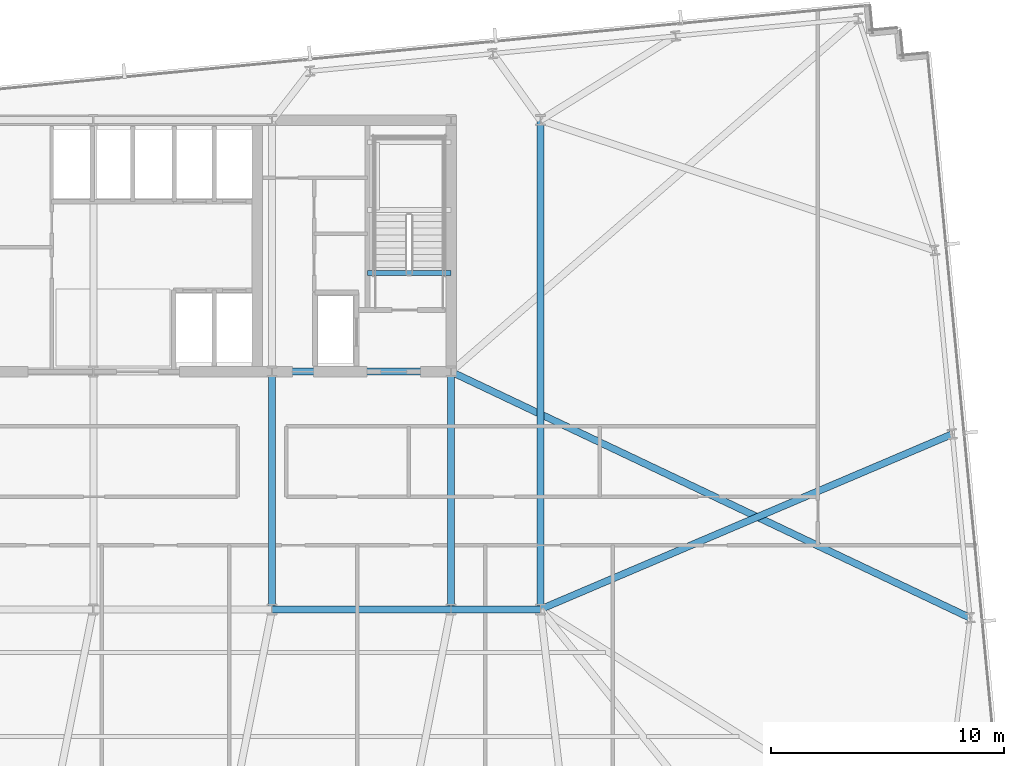
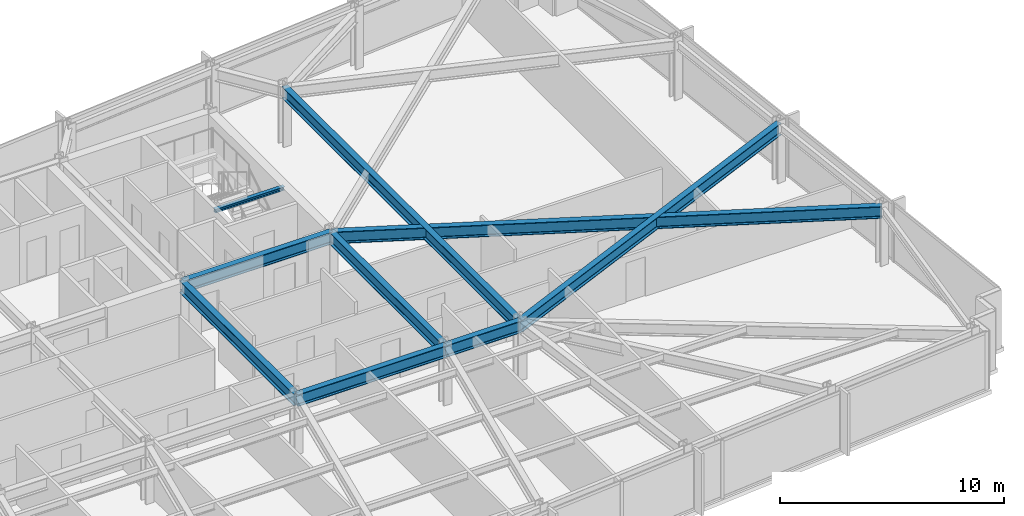
# One storey, part 15 of 32: 9 beams.
"""IFC4 building model written with IfcOpenShell, lengths in metres."""

from ifc_helpers import new_model, si_unit, direction, frame, origin, origin_2d, place, context, subcontext, project, spatial, i_section, extrude, material, material_profile, profile_set, type_object, element, save


model = new_model("IFC4")

# Units and contexts
model_context = context("Model", 3, precision=1e-05, world=origin(), true_north=direction((0.0, 1.0)))
body_context = subcontext(model_context, "Body", "Model", "MODEL_VIEW")
ifc_project = project(units=[si_unit("LENGTHUNIT", "METRE"), si_unit("AREAUNIT", "SQUARE_METRE"), si_unit("VOLUMEUNIT", "CUBIC_METRE"), si_unit("PLANEANGLEUNIT", "RADIAN"), si_unit("MASSUNIT", "GRAM", prefix="KILO")], contexts=[model_context])

# Site, building, storey
site_placement = place(None, origin())
site = spatial("IfcSite", under=ifc_project, at=site_placement, CompositionType="ELEMENT")
building_placement = place(site_placement, origin())
building = spatial("IfcBuilding", under=site, at=building_placement, Name="Yelkora Congress Tower", CompositionType="ELEMENT")
storey_placement = place(building_placement, frame((0.0, 0.0, 130.5)))
storey = spatial("IfcBuildingStorey", under=building, at=storey_placement, Name="L35", CompositionType="ELEMENT", Elevation=130.5)

# Beams
ifc_material = material(Name="Steel S355J2", Category="steel")
ifc_material_profile_1 = material_profile(ifc_material, i_section(OverallWidth=0.300048828125, OverallDepth=0.64990234375, WebThickness=0.01611328125, FlangeThickness=0.031005859375, FilletRadius=0.027099609375, at=origin_2d()), Name="HEB 650")
ifc_profile_set_1 = profile_set([ifc_material_profile_1], Name="Steel S355J2")
beam_type_1 = type_object("IfcBeamType", Name="BM-GIRD-HEB650", PredefinedType="BEAM", material=ifc_profile_set_1)
beam_1_placement = place(storey_placement, frame((46.080078125, 25.199951171875, 2.85498046875), z_axis=(1.0, 0.0, 0.0), x_axis=(0.0, 1.0, 0.0)))
element("IfcBeam", 1, at=beam_1_placement, inside=storey, type_object=beam_type_1, Name="L35 Spine Grid D Girder 5", PredefinedType="BEAM", context=body_context, shape_type="SweptSolid", body=[
    extrude(i_section(OverallWidth=0.300048828125, OverallDepth=0.64990234375, WebThickness=0.01611328125, FlangeThickness=0.031005859375, FilletRadius=0.027099609375, at=origin_2d()), origin(), (0.0, 0.0, 1.0), 7.679931640625),
])
beam_2_placement = place(storey_placement, frame((53.760009765625, 25.199951171875, 2.85498046875), z_axis=(1.0, 0.0, 0.0), x_axis=(0.0, 1.0, 0.0)))
element("IfcBeam", 2, at=beam_2_placement, inside=storey, type_object=beam_type_1, Name="L35 Spine Grid D Girder 6", PredefinedType="BEAM", context=body_context, shape_type="SweptSolid", body=[
    extrude(i_section(OverallWidth=0.300048828125, OverallDepth=0.64990234375, WebThickness=0.01611328125, FlangeThickness=0.031005859375, FilletRadius=0.027099609375, at=origin_2d()), origin(), (0.0, 0.0, 1.0), 3.840087890625),
])
beam_3_placement = place(storey_placement, frame((46.080078125, 35.39990234375, 2.85498046875), z_axis=(1.0, 0.0, 0.0), x_axis=(0.0, 1.0, 0.0)))
element("IfcBeam", 3, at=beam_3_placement, inside=storey, type_object=beam_type_1, Name="L35 Core South Girder 4", PredefinedType="BEAM", context=body_context, shape_type="SweptSolid", body=[
    extrude(i_section(OverallWidth=0.300048828125, OverallDepth=0.64990234375, WebThickness=0.01611328125, FlangeThickness=0.031005859375, FilletRadius=0.027099609375, at=origin_2d()), origin(), (0.0, 0.0, 1.0), 7.679931640625),
])
for number, where, z_axis, x_axis, name in (
    (4, (46.080078125, 25.199951171875, 2.85498046875), (0.0, 1.0, 0.0), (-1.0, 0.0, 0.0), "L35 Core Tie Girder MC-D4"),
    (5, (53.760009765625, 25.199951171875, 2.85498046875), (0.0, 1.0, 0.0), (-1.0, 0.0, 0.0), "L35 Core Tie Girder MC-D5"),
):
    element("IfcBeam", number, at=place(storey_placement, frame(where, z_axis=z_axis, x_axis=x_axis)), inside=storey, type_object=beam_type_1, Name=name, PredefinedType="BEAM", context=body_context, shape_type="SweptSolid", body=[
        extrude(i_section(OverallWidth=0.300048828125, OverallDepth=0.64990234375, WebThickness=0.01611328125, FlangeThickness=0.031005859375, FilletRadius=0.027099609375, at=origin_2d()), origin(), (0.0, 0.0, 1.0), 10.199951171875),
    ])
beam_4_placement = place(storey_placement, frame((57.60009765625, 25.199951171875, 2.85498046875), z_axis=(0.0, 1.0, 0.0), x_axis=(-1.0, 0.0, 0.0)))
element("IfcBeam", 6, at=beam_4_placement, inside=storey, type_object=beam_type_1, Name="L35 Neck Flank Girder MC-F2", PredefinedType="BEAM", context=body_context, shape_type="SweptSolid", body=[
    extrude(i_section(OverallWidth=0.300048828125, OverallDepth=0.64990234375, WebThickness=0.01611328125, FlangeThickness=0.031005859375, FilletRadius=0.027099609375, at=origin_2d()), origin(), (0.0, 0.0, 1.0), 21.0),
])
beam_5_placement = place(storey_placement, frame((76.041259765625, 24.83349609375, 2.85498046875), z_axis=(-0.903547447445, 0.428488051427, 0.0), x_axis=(-0.428488051427, -0.903547447445, 0.0)))
element("IfcBeam", 7, at=beam_5_placement, inside=storey, type_object=beam_type_1, Name="L35 Primary Frame Girder E01", PredefinedType="BEAM", context=body_context, shape_type="SweptSolid", body=[
    extrude(i_section(OverallWidth=0.300048828125, OverallDepth=0.64990234375, WebThickness=0.01611328125, FlangeThickness=0.031005859375, FilletRadius=0.027099609375, at=origin_2d()), origin(), (0.0, 0.0, 1.0), 24.65966796875),
])
beam_6_placement = place(storey_placement, frame((75.28173828125, 32.721923828125, 2.85498046875), z_axis=(-0.920194564302, -0.391461318432, 0.0), x_axis=(0.391461318432, -0.920194564302, 0.0)))
element("IfcBeam", 8, at=beam_6_placement, inside=storey, type_object=beam_type_1, Name="L35 Primary Frame Girder E02", PredefinedType="BEAM", context=body_context, shape_type="SweptSolid", body=[
    extrude(i_section(OverallWidth=0.300048828125, OverallDepth=0.64990234375, WebThickness=0.01611328125, FlangeThickness=0.031005859375, FilletRadius=0.027099609375, at=origin_2d()), origin(), (0.0, 0.0, 1.0), 19.215087890625),
])
ifc_material_profile_2 = material_profile(ifc_material, i_section(OverallWidth=0.199951171875, OverallDepth=0.18994140625, WebThickness=0.006591796875, FlangeThickness=0.010009765625, FilletRadius=0.01806640625, at=origin_2d()), Name="HEA 200")
ifc_profile_set_2 = profile_set([ifc_material_profile_2], Name="Steel S355J2")
beam_type_2 = type_object("IfcBeamType", Name="BM-LAND-HEA200", PredefinedType="BEAM", material=ifc_profile_set_2)
beam_7_placement = place(storey_placement, frame((50.179931640625, 39.639892578125, 2.947509765625), z_axis=(1.0, 0.0, 0.0), x_axis=(0.0, 1.0, 0.0)))
element("IfcBeam", 9, at=beam_7_placement, inside=storey, type_object=beam_type_2, Name="ST-02 L35 Floor Arrival Stringer Header Beam", PredefinedType="BEAM", context=body_context, shape_type="SweptSolid", body=[
    extrude(i_section(OverallWidth=0.199951171875, OverallDepth=0.18994140625, WebThickness=0.006591796875, FlangeThickness=0.010009765625, FilletRadius=0.01806640625, at=origin_2d()), origin(), (0.0, 0.0, 1.0), 3.580078125),
])

save(model, "model.ifc")
